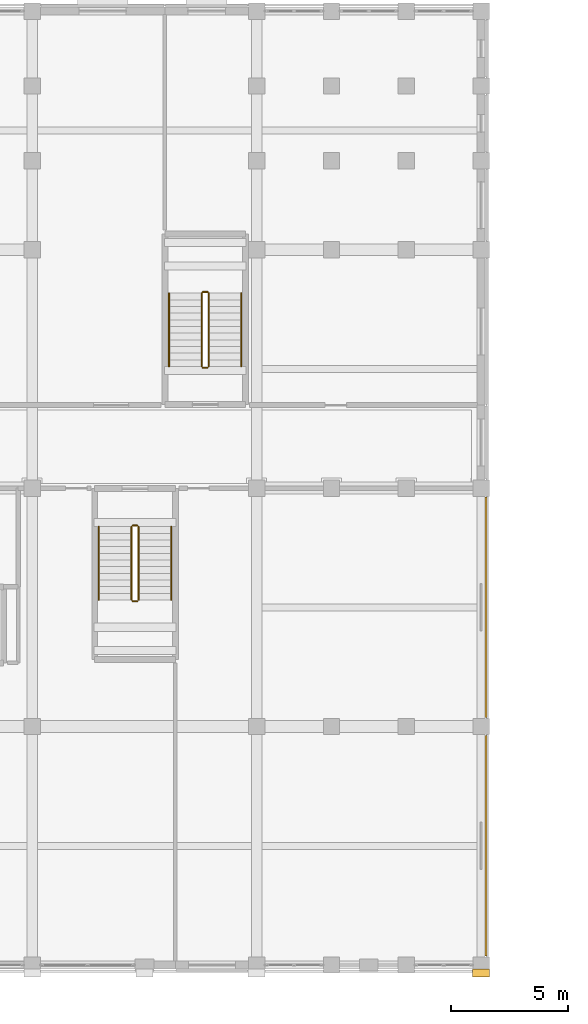
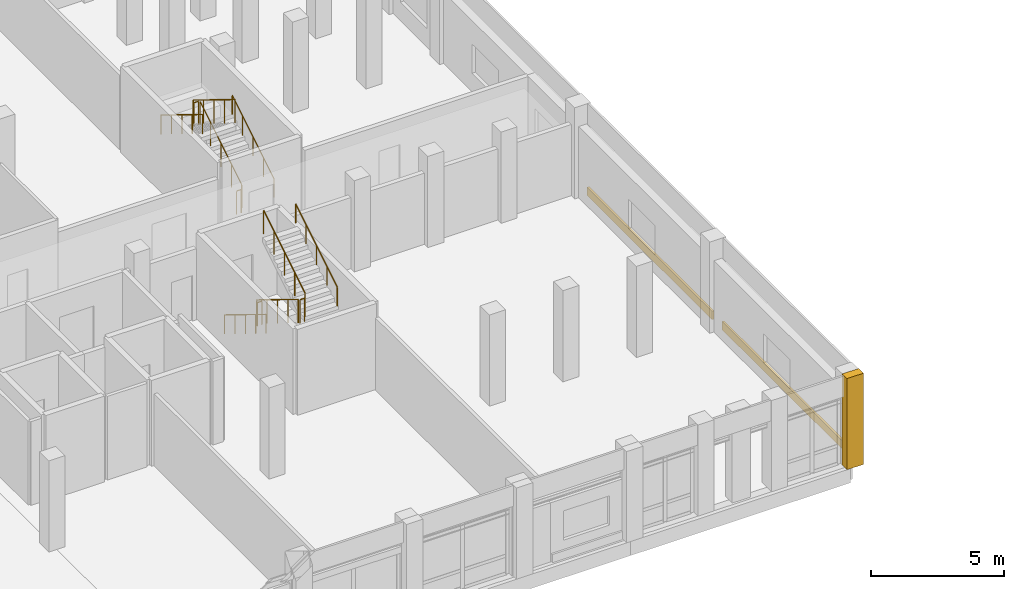
# One storey, part 173 of 185: 12 railings, 3 coverings.
"""IFC4 building model written with IfcOpenShell, lengths in metres."""

from ifc_helpers import new_model, si_unit, direction, frame, origin, origin_2d, place, context, subcontext, project, spatial, rectangle, circle, extrude, material, layer, layer_set, type_object, element, save


model = new_model("IFC4")

# Units and contexts
model_context = context("Model", 3, precision=1e-05, world=origin(), true_north=direction((0.0, 1.0)))
body_context = subcontext(model_context, "Body", "Model", "MODEL_VIEW")
ifc_project = project(units=[si_unit("LENGTHUNIT", "METRE"), si_unit("AREAUNIT", "SQUARE_METRE"), si_unit("VOLUMEUNIT", "CUBIC_METRE"), si_unit("PLANEANGLEUNIT", "RADIAN"), si_unit("MASSUNIT", "GRAM", prefix="KILO")], contexts=[model_context])

# Site, building, storey
site_placement = place(None, origin())
site = spatial("IfcSite", under=ifc_project, at=site_placement, CompositionType="ELEMENT")
building_placement = place(site_placement, origin())
building = spatial("IfcBuilding", under=site, at=building_placement, Name="Vondelvale Polytechnic", CompositionType="ELEMENT")
storey_placement = place(building_placement, frame((0.0, 0.0, 9.60009765625)))
storey = spatial("IfcBuildingStorey", under=building, at=storey_placement, Name="L02", CompositionType="ELEMENT", Elevation=9.60009765625)

# Coverings
ifc_material_1 = material(Name="Amsterdam School iron-spot clinker clay brickwork", Category="masonry")
ifc_layer_1 = layer(ifc_material_1, 0.090087890625)
ifc_layer_set_1 = layer_set([ifc_layer_1], Name="COV-BRICK-RELIEF")
covering_type = type_object("IfcCoveringType", Name="COV-BRICK-RELIEF", PredefinedType="CLADDING", material=ifc_layer_set_1)
for number, where, z_axis, x_axis, name in (
    (1, (48.216064453125, 5.10009765625, 0.0), (0.0, 0.0, 1.0), (0.0, -1.0, 0.0), "L02 exterior corbelled masonry relief band"),
    (2, (48.216064453125, 15.300048828125, 0.0), (0.0, 0.0, 1.0), (0.0, -1.0, 0.0), "L02 exterior corbelled masonry relief band"),
):
    element("IfcCovering", number, at=place(storey_placement, frame(where, z_axis=z_axis, x_axis=x_axis)), inside=storey, type_object=covering_type, Name=name, PredefinedType="CLADDING", context=body_context, shape_type="SweptSolid", body=[
        extrude(rectangle(XDim=9.43798828125, YDim=0.090087890625, at=origin_2d()), origin(), (0.0, 0.0, 1.0), 0.3798828125),
    ])
covering_placement = place(storey_placement, frame((48.0, -0.340087890625, 0.0), z_axis=(0.0, 0.0, 1.0), x_axis=(1.0, 0.0, 0.0)))
element("IfcCovering", 3, at=covering_placement, inside=storey, type_object=covering_type, Name="L02 Classical street pilaster", PredefinedType="CLADDING", context=body_context, shape_type="SweptSolid", body=[
    extrude(rectangle(XDim=0.719970703125, YDim=0.360107421875, at=origin_2d()), origin(), (0.0, 0.0, 1.0), 4.199951171875),
])

# Railings
ifc_material_2 = material(Name="Brushed architectural stainless and zinc-coated metal")
ifc_layer_2 = layer(ifc_material_2, 0.050048828125)
ifc_layer_set_2 = layer_set([ifc_layer_2], Name="RL-STAIR-GUARD")
railing_type_1 = type_object("IfcRailingType", Name="RL-STAIR-GUARD", PredefinedType="GUARDRAIL", material=ifc_layer_set_2)
railing_1_placement = place(storey_placement, frame((33.050048828125, 18.75, 0.1748046875)))
element("IfcRailing", 4, at=railing_1_placement, inside=storey, type_object=railing_type_1, Name="L02 ST-04 stair guard 1", PredefinedType="GUARDRAIL", context=body_context, shape_type="SweptSolid", body=[
    extrude(circle(Radius=0.02392578125, at=origin_2d()), frame((0.0, 0.0, 1.076171875), z_axis=(0.0, -0.852166034122, 0.523271488128), x_axis=(1.0, 0.0, 0.0)), (0.0, 0.0, 1.0), 3.678955078125),
    extrude(circle(Radius=0.02099609375, at=origin_2d()), origin(), (0.0, 0.0, 1.0), 1.052001953125),
    extrude(circle(Radius=0.02099609375, at=origin_2d()), frame((0.0, -0.78369140625, 0.481201171875)), (0.0, 0.0, 1.0), 1.052001953125),
    extrude(circle(Radius=0.02099609375, at=origin_2d()), frame((0.0, -1.5673828125, 0.96240234375)), (0.0, 0.0, 1.0), 1.052001953125),
    extrude(circle(Radius=0.02099609375, at=origin_2d()), frame((0.0, -2.351318359375, 1.44384765625)), (0.0, 0.0, 1.0), 1.052001953125),
    extrude(circle(Radius=0.02099609375, at=origin_2d()), frame((0.0, -3.135009765625, 1.925048828125)), (0.0, 0.0, 1.0), 1.052001953125),
])
railing_2_placement = place(storey_placement, frame((33.10009765625, 15.56494140625, 2.099853515625)))
element("IfcRailing", 5, at=railing_2_placement, inside=storey, type_object=railing_type_1, Name="L02 ST-04 stair guard 2", PredefinedType="GUARDRAIL", context=body_context, shape_type="SweptSolid", body=[
    extrude(circle(Radius=0.02392578125, at=origin_2d()), frame((0.0, 0.0, 1.076171875), z_axis=(1.0, 0.0, 0.0), x_axis=(0.0, 1.0, 0.0)), (0.0, 0.0, 1.0), 0.199951171875),
    extrude(circle(Radius=0.02099609375, at=origin_2d()), origin(), (0.0, 0.0, 1.0), 1.052001953125),
    extrude(circle(Radius=0.02099609375, at=origin_2d()), frame((0.199951171875, 0.0, 0.0)), (0.0, 0.0, 1.0), 1.052001953125),
])
railing_3_placement = place(storey_placement, frame((33.35009765625, 15.614990234375, 2.27490234375)))
element("IfcRailing", 6, at=railing_3_placement, inside=storey, type_object=railing_type_1, Name="L02 ST-04 stair guard 3", PredefinedType="GUARDRAIL", context=body_context, shape_type="SweptSolid", body=[
    extrude(circle(Radius=0.02392578125, at=origin_2d()), frame((0.0, 0.0, 1.076171875), z_axis=(0.0, 0.852166034122, 0.523271488128), x_axis=(-1.0, 0.0, 0.0)), (0.0, 0.0, 1.0), 3.678955078125),
    extrude(circle(Radius=0.02099609375, at=origin_2d()), origin(), (0.0, 0.0, 1.0), 1.052001953125),
    extrude(circle(Radius=0.02099609375, at=origin_2d()), frame((0.0, 0.78369140625, 0.481201171875)), (0.0, 0.0, 1.0), 1.052001953125),
    extrude(circle(Radius=0.02099609375, at=origin_2d()), frame((0.0, 1.5673828125, 0.96240234375)), (0.0, 0.0, 1.0), 1.052001953125),
    extrude(circle(Radius=0.02099609375, at=origin_2d()), frame((0.0, 2.351318359375, 1.44384765625)), (0.0, 0.0, 1.0), 1.052001953125),
    extrude(circle(Radius=0.02099609375, at=origin_2d()), frame((0.0, 3.135009765625, 1.925048828125)), (0.0, 0.0, 1.0), 1.052001953125),
])
railing_4_placement = place(storey_placement, frame((33.10009765625, 18.800048828125, 0.0)))
element("IfcRailing", 7, at=railing_4_placement, inside=storey, type_object=railing_type_1, Name="L02 ST-04 stair guard 4", PredefinedType="GUARDRAIL", context=body_context, shape_type="SweptSolid", body=[
    extrude(circle(Radius=0.02392578125, at=origin_2d()), frame((0.0, 0.0, 1.076171875), z_axis=(1.0, 0.0, 0.0), x_axis=(0.0, 1.0, 0.0)), (0.0, 0.0, 1.0), 0.199951171875),
    extrude(circle(Radius=0.02099609375, at=origin_2d()), origin(), (0.0, 0.0, 1.0), 1.052001953125),
    extrude(circle(Radius=0.02099609375, at=origin_2d()), frame((0.199951171875, 0.0, 0.0)), (0.0, 0.0, 1.0), 1.052001953125),
])
railing_5_placement = place(storey_placement, frame((36.35009765625, 25.60009765625, 0.1748046875)))
element("IfcRailing", 8, at=railing_5_placement, inside=storey, type_object=railing_type_1, Name="L02 ST-05 stair guard 1", PredefinedType="GUARDRAIL", context=body_context, shape_type="SweptSolid", body=[
    extrude(circle(Radius=0.02392578125, at=origin_2d()), frame((0.0, 0.0, 1.076171875), z_axis=(0.0, 0.852166034122, 0.523271488128), x_axis=(-1.0, 0.0, 0.0)), (0.0, 0.0, 1.0), 3.678955078125),
    extrude(circle(Radius=0.02099609375, at=origin_2d()), origin(), (0.0, 0.0, 1.0), 1.052001953125),
    extrude(circle(Radius=0.02099609375, at=origin_2d()), frame((0.0, 0.78369140625, 0.481201171875)), (0.0, 0.0, 1.0), 1.052001953125),
    extrude(circle(Radius=0.02099609375, at=origin_2d()), frame((0.0, 1.5673828125, 0.96240234375)), (0.0, 0.0, 1.0), 1.052001953125),
    extrude(circle(Radius=0.02099609375, at=origin_2d()), frame((0.0, 2.351318359375, 1.44384765625)), (0.0, 0.0, 1.0), 1.052001953125),
    extrude(circle(Radius=0.02099609375, at=origin_2d()), frame((0.0, 3.135009765625, 1.925048828125)), (0.0, 0.0, 1.0), 1.052001953125),
])
railing_6_placement = place(storey_placement, frame((36.300048828125, 28.784912109375, 2.099853515625)))
element("IfcRailing", 9, at=railing_6_placement, inside=storey, type_object=railing_type_1, Name="L02 ST-05 stair guard 2", PredefinedType="GUARDRAIL", context=body_context, shape_type="SweptSolid", body=[
    extrude(circle(Radius=0.02392578125, at=origin_2d()), frame((0.0, 0.0, 1.076171875), z_axis=(-1.0, 0.0, 0.0), x_axis=(0.0, -1.0, 0.0)), (0.0, 0.0, 1.0), 0.199951171875),
    extrude(circle(Radius=0.02099609375, at=origin_2d()), origin(), (0.0, 0.0, 1.0), 1.052001953125),
    extrude(circle(Radius=0.02099609375, at=origin_2d()), frame((-0.199951171875, 0.0, 0.0)), (0.0, 0.0, 1.0), 1.052001953125),
])
railing_7_placement = place(storey_placement, frame((36.050048828125, 28.735107421875, 2.27490234375)))
element("IfcRailing", 10, at=railing_7_placement, inside=storey, type_object=railing_type_1, Name="L02 ST-05 stair guard 3", PredefinedType="GUARDRAIL", context=body_context, shape_type="SweptSolid", body=[
    extrude(circle(Radius=0.02392578125, at=origin_2d()), frame((0.0, 0.0, 1.076171875), z_axis=(0.0, -0.852166034122, 0.523271488128), x_axis=(1.0, 0.0, 0.0)), (0.0, 0.0, 1.0), 3.678955078125),
    extrude(circle(Radius=0.02099609375, at=origin_2d()), origin(), (0.0, 0.0, 1.0), 1.052001953125),
    extrude(circle(Radius=0.02099609375, at=origin_2d()), frame((0.0, -0.78369140625, 0.481201171875)), (0.0, 0.0, 1.0), 1.052001953125),
    extrude(circle(Radius=0.02099609375, at=origin_2d()), frame((0.0, -1.5673828125, 0.96240234375)), (0.0, 0.0, 1.0), 1.052001953125),
    extrude(circle(Radius=0.02099609375, at=origin_2d()), frame((0.0, -2.351318359375, 1.44384765625)), (0.0, 0.0, 1.0), 1.052001953125),
    extrude(circle(Radius=0.02099609375, at=origin_2d()), frame((0.0, -3.135009765625, 1.925048828125)), (0.0, 0.0, 1.0), 1.052001953125),
])
railing_8_placement = place(storey_placement, frame((36.300048828125, 25.550048828125, 0.0)))
element("IfcRailing", 11, at=railing_8_placement, inside=storey, type_object=railing_type_1, Name="L02 ST-05 stair guard 4", PredefinedType="GUARDRAIL", context=body_context, shape_type="SweptSolid", body=[
    extrude(circle(Radius=0.02392578125, at=origin_2d()), frame((0.0, 0.0, 1.076171875), z_axis=(-1.0, 0.0, 0.0), x_axis=(0.0, -1.0, 0.0)), (0.0, 0.0, 1.0), 0.199951171875),
    extrude(circle(Radius=0.02099609375, at=origin_2d()), origin(), (0.0, 0.0, 1.0), 1.052001953125),
    extrude(circle(Radius=0.02099609375, at=origin_2d()), frame((-0.199951171875, 0.0, 0.0)), (0.0, 0.0, 1.0), 1.052001953125),
])
ifc_layer_3 = layer(ifc_material_2, 0.048095703125)
ifc_layer_set_3 = layer_set([ifc_layer_3], Name="RL-STAIR-HANDRAIL")
railing_type_2 = type_object("IfcRailingType", Name="RL-STAIR-HANDRAIL", PredefinedType="HANDRAIL", material=ifc_layer_set_3)
railing_9_placement = place(storey_placement, frame((31.64990234375, 18.75, 0.1748046875)))
element("IfcRailing", 12, at=railing_9_placement, inside=storey, type_object=railing_type_2, Name="L02 ST-04 stair handrail 1", PredefinedType="HANDRAIL", context=body_context, shape_type="SweptSolid", body=[
    extrude(circle(Radius=0.02392578125, at=origin_2d()), frame((0.0, 0.0, 0.8759765625), z_axis=(0.0, -0.852166034122, 0.523271488128), x_axis=(1.0, 0.0, 0.0)), (0.0, 0.0, 1.0), 3.678955078125),
    extrude(circle(Radius=0.02099609375, at=origin_2d()), origin(), (0.0, 0.0, 1.0), 0.851806640625),
    extrude(circle(Radius=0.02099609375, at=origin_2d()), frame((0.0, -0.78369140625, 0.481201171875)), (0.0, 0.0, 1.0), 0.851806640625),
    extrude(circle(Radius=0.02099609375, at=origin_2d()), frame((0.0, -1.5673828125, 0.96240234375)), (0.0, 0.0, 1.0), 0.851806640625),
    extrude(circle(Radius=0.02099609375, at=origin_2d()), frame((0.0, -2.351318359375, 1.44384765625)), (0.0, 0.0, 1.0), 0.851806640625),
    extrude(circle(Radius=0.02099609375, at=origin_2d()), frame((0.0, -3.135009765625, 1.925048828125)), (0.0, 0.0, 1.0), 0.851806640625),
])
for number, where, name in (
    (13, (34.75, 15.614990234375, 2.27490234375), "L02 ST-04 stair handrail 2"),
    (14, (37.75, 25.60009765625, 0.1748046875), "L02 ST-05 stair handrail 1"),
):
    element("IfcRailing", number, at=place(storey_placement, frame(where)), inside=storey, type_object=railing_type_2, Name=name, PredefinedType="HANDRAIL", context=body_context, shape_type="SweptSolid", body=[
        extrude(circle(Radius=0.02392578125, at=origin_2d()), frame((0.0, 0.0, 0.8759765625), z_axis=(0.0, 0.852166034122, 0.523271488128), x_axis=(-1.0, 0.0, 0.0)), (0.0, 0.0, 1.0), 3.678955078125),
        extrude(circle(Radius=0.02099609375, at=origin_2d()), origin(), (0.0, 0.0, 1.0), 0.851806640625),
        extrude(circle(Radius=0.02099609375, at=origin_2d()), frame((0.0, 0.78369140625, 0.481201171875)), (0.0, 0.0, 1.0), 0.851806640625),
        extrude(circle(Radius=0.02099609375, at=origin_2d()), frame((0.0, 1.5673828125, 0.96240234375)), (0.0, 0.0, 1.0), 0.851806640625),
        extrude(circle(Radius=0.02099609375, at=origin_2d()), frame((0.0, 2.351318359375, 1.44384765625)), (0.0, 0.0, 1.0), 0.851806640625),
        extrude(circle(Radius=0.02099609375, at=origin_2d()), frame((0.0, 3.135009765625, 1.925048828125)), (0.0, 0.0, 1.0), 0.851806640625),
    ])
railing_10_placement = place(storey_placement, frame((34.64990234375, 28.735107421875, 2.27490234375)))
element("IfcRailing", 15, at=railing_10_placement, inside=storey, type_object=railing_type_2, Name="L02 ST-05 stair handrail 2", PredefinedType="HANDRAIL", context=body_context, shape_type="SweptSolid", body=[
    extrude(circle(Radius=0.02392578125, at=origin_2d()), frame((0.0, 0.0, 0.8759765625), z_axis=(0.0, -0.852166034122, 0.523271488128), x_axis=(1.0, 0.0, 0.0)), (0.0, 0.0, 1.0), 3.678955078125),
    extrude(circle(Radius=0.02099609375, at=origin_2d()), origin(), (0.0, 0.0, 1.0), 0.851806640625),
    extrude(circle(Radius=0.02099609375, at=origin_2d()), frame((0.0, -0.78369140625, 0.481201171875)), (0.0, 0.0, 1.0), 0.851806640625),
    extrude(circle(Radius=0.02099609375, at=origin_2d()), frame((0.0, -1.5673828125, 0.96240234375)), (0.0, 0.0, 1.0), 0.851806640625),
    extrude(circle(Radius=0.02099609375, at=origin_2d()), frame((0.0, -2.351318359375, 1.44384765625)), (0.0, 0.0, 1.0), 0.851806640625),
    extrude(circle(Radius=0.02099609375, at=origin_2d()), frame((0.0, -3.135009765625, 1.925048828125)), (0.0, 0.0, 1.0), 0.851806640625),
])

save(model, "model.ifc")
